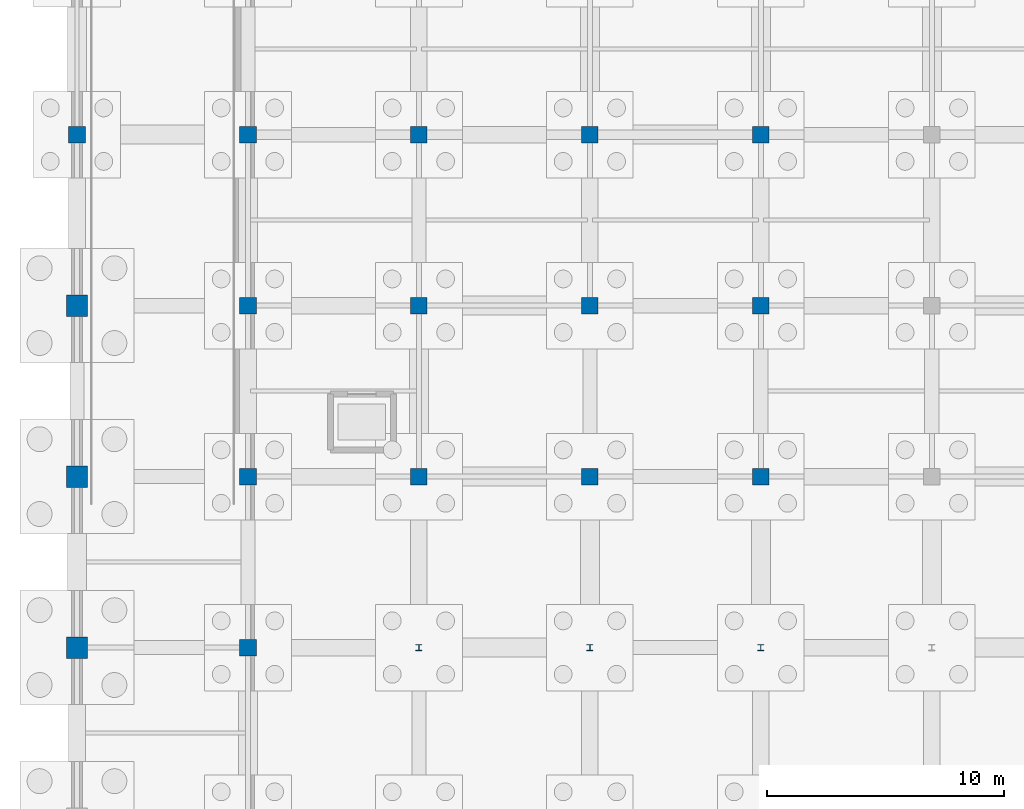
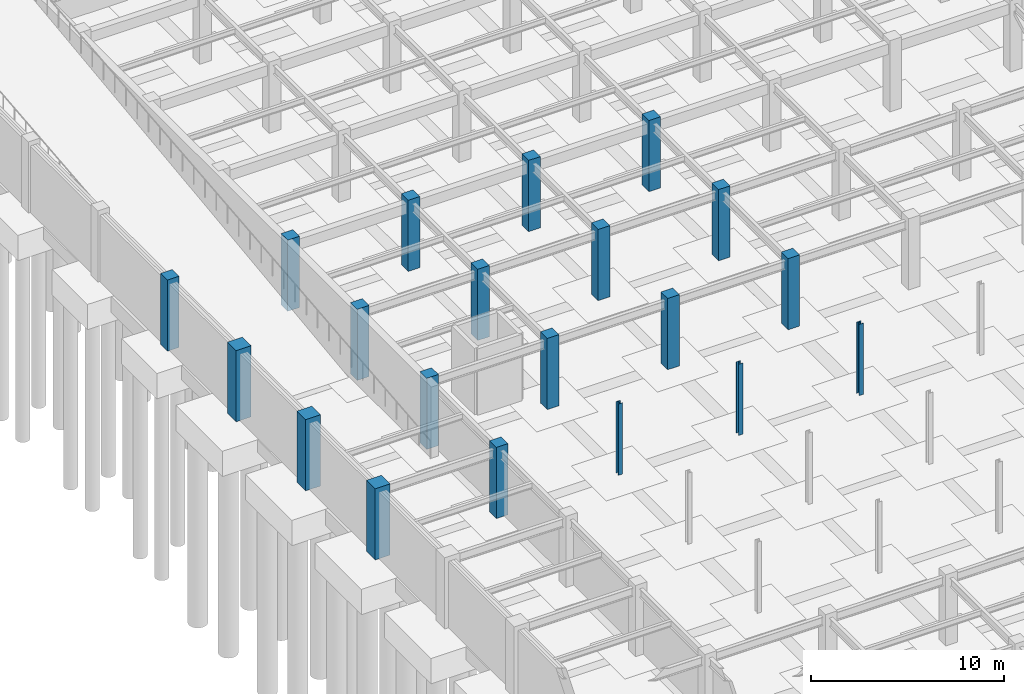
# One storey, part 15 of 48: 20 columns.
"""IFC4 building model written with IfcOpenShell, lengths in metres."""

from ifc_helpers import new_model, si_unit, direction, frame, origin, origin_2d, place, context, subcontext, project, spatial, rectangle, i_section, extrude, material, material_profile, profile_set, type_object, element, save


model = new_model("IFC4")

# Units and contexts
model_context = context("Model", 3, precision=1e-05, world=origin(), true_north=direction((0.0, 1.0)))
body_context = subcontext(model_context, "Body", "Model", "MODEL_VIEW")
ifc_project = project(units=[si_unit("LENGTHUNIT", "METRE"), si_unit("AREAUNIT", "SQUARE_METRE"), si_unit("VOLUMEUNIT", "CUBIC_METRE"), si_unit("PLANEANGLEUNIT", "RADIAN"), si_unit("MASSUNIT", "GRAM", prefix="KILO")], contexts=[model_context])

# Site, building, storey
site_placement = place(None, origin())
site = spatial("IfcSite", under=ifc_project, at=site_placement, CompositionType="ELEMENT")
building_placement = place(site_placement, origin())
building = spatial("IfcBuilding", under=site, at=building_placement, Name="Carrowvane Square Congress Hotel", CompositionType="ELEMENT")
storey_placement = place(building_placement, frame((0.0, 0.0, -4.5)))
storey = spatial("IfcBuildingStorey", under=building, at=storey_placement, Name="B01", CompositionType="ELEMENT", Elevation=-4.5)

# Columns
ifc_material_1 = material(Name="Concrete C40/50", Category="concrete")
ifc_material_profile_1 = material_profile(ifc_material_1, rectangle(XDim=0.699951171875, YDim=0.699951171875, at=origin_2d()), Name="RC 700x700")
ifc_profile_set_1 = profile_set([ifc_material_profile_1], Name="Concrete C40/50")
column_type_1 = type_object("IfcColumnType", Name="COL-RC-700", PredefinedType="COLUMN", material=ifc_profile_set_1)
for number, where, z_axis, x_axis, name in (
    (1, (11.60009765625, 63.0, 0.0), (0.0, 0.0, 1.0), (1.0, 0.0, 0.0), "B01 column 1/J"),
    (2, (18.800048828125, 41.39990234375, 0.0), (0.0, 0.0, 1.0), (1.0, 0.0, 0.0), "B01 column 2/F"),
    (3, (18.800048828125, 48.60009765625, 0.0), (0.0, 0.0, 1.0), (1.0, 0.0, 0.0), "B01 column 2/G"),
    (4, (18.800048828125, 55.800048828125, 0.0), (0.0, 0.0, 1.0), (1.0, 0.0, 0.0), "B01 column 2/H"),
    (5, (18.800048828125, 63.0, 0.0), (0.0, 0.0, 1.0), (1.0, 0.0, 0.0), "B01 column 2/J"),
    (6, (26.0, 48.60009765625, 0.0), (0.0, 0.0, 1.0), (1.0, 0.0, 0.0), "B01 column 3/G"),
    (7, (26.0, 55.800048828125, 0.0), (0.0, 0.0, 1.0), (1.0, 0.0, 0.0), "B01 column 3/H"),
    (8, (26.0, 63.0, 0.0), (0.0, 0.0, 1.0), (1.0, 0.0, 0.0), "B01 column 3/J"),
    (9, (33.199951171875, 48.60009765625, 0.0), (0.0, 0.0, 1.0), (1.0, 0.0, 0.0), "B01 column 4/G"),
    (10, (33.199951171875, 55.800048828125, 0.0), (0.0, 0.0, 1.0), (1.0, 0.0, 0.0), "B01 column 4/H"),
    (11, (33.199951171875, 63.0, 0.0), (0.0, 0.0, 1.0), (1.0, 0.0, 0.0), "B01 column 4/J"),
    (12, (40.39990234375, 48.60009765625, 0.0), (0.0, 0.0, 1.0), (1.0, 0.0, 0.0), "B01 column 5/G"),
    (13, (40.39990234375, 55.800048828125, 0.0), (0.0, 0.0, 1.0), (1.0, 0.0, 0.0), "B01 column 5/H"),
    (14, (40.39990234375, 63.0, 0.0), (0.0, 0.0, 1.0), (1.0, 0.0, 0.0), "B01 column 5/J"),
):
    element("IfcColumn", number, at=place(storey_placement, frame(where, z_axis=z_axis, x_axis=x_axis)), inside=storey, type_object=column_type_1, Name=name, PredefinedType="COLUMN", context=body_context, shape_type="SweptSolid", body=[
        extrude(rectangle(XDim=0.699951171875, YDim=0.699951171875, at=origin_2d()), origin(), (0.0, 0.0, 1.0), 4.5),
    ])
ifc_material_2 = material(Name="Steel S355", Category="steel")
ifc_material_profile_2 = material_profile(ifc_material_2, i_section(OverallWidth=0.25634765625, OverallDepth=0.26025390625, WebThickness=0.01025390625, FlangeThickness=0.017333984375, FilletRadius=0.0126953125, at=origin_2d()), Name="UKC 254x254x89")
ifc_profile_set_2 = profile_set([ifc_material_profile_2], Name="Steel S355")
column_type_2 = type_object("IfcColumnType", Name="COL-ST-UKC254", PredefinedType="COLUMN", material=ifc_profile_set_2)
for number, where, z_axis, x_axis, name in (
    (15, (26.0, 41.39990234375, 0.0), (0.0, 0.0, 1.0), (1.0, 0.0, 0.0), "B01 column RK26/RY41"),
    (16, (33.199951171875, 41.39990234375, 0.0), (0.0, 0.0, 1.0), (1.0, 0.0, 0.0), "B01 column RK33/RY41"),
    (17, (40.39990234375, 41.39990234375, 0.0), (0.0, 0.0, 1.0), (1.0, 0.0, 0.0), "B01 column RK40/RY41"),
):
    element("IfcColumn", number, at=place(storey_placement, frame(where, z_axis=z_axis, x_axis=x_axis)), inside=storey, type_object=column_type_2, Name=name, PredefinedType="COLUMN", context=body_context, shape_type="SweptSolid", body=[
        extrude(i_section(OverallWidth=0.25634765625, OverallDepth=0.26025390625, WebThickness=0.01025390625, FlangeThickness=0.017333984375, FilletRadius=0.0126953125, at=origin_2d()), origin(), (0.0, 0.0, 1.0), 4.5),
    ])
ifc_material_3 = material(Name="Concrete C40/50", Category="concrete")
ifc_material_profile_3 = material_profile(ifc_material_3, rectangle(XDim=0.89990234375, YDim=0.89990234375, at=origin_2d()), Name="RC 900x900")
ifc_profile_set_3 = profile_set([ifc_material_profile_3], Name="Concrete C40/50")
column_type_3 = type_object("IfcColumnType", Name="MCOL-RC-900", PredefinedType="COLUMN", material=ifc_profile_set_3)
for number, where, z_axis, x_axis, name in (
    (18, (11.60009765625, 41.39990234375, 0.0), (0.0, 0.0, 1.0), (1.0, 0.0, 0.0), "B01 column 1/F"),
    (19, (11.60009765625, 48.60009765625, 0.0), (0.0, 0.0, 1.0), (1.0, 0.0, 0.0), "B01 column 1/G"),
    (20, (11.60009765625, 55.800048828125, 0.0), (0.0, 0.0, 1.0), (1.0, 0.0, 0.0), "B01 column 1/H"),
):
    element("IfcColumn", number, at=place(storey_placement, frame(where, z_axis=z_axis, x_axis=x_axis)), inside=storey, type_object=column_type_3, Name=name, PredefinedType="COLUMN", context=body_context, shape_type="SweptSolid", body=[
        extrude(rectangle(XDim=0.89990234375, YDim=0.89990234375, at=origin_2d()), origin(), (0.0, 0.0, 1.0), 4.5),
    ])

save(model, "model.ifc")
